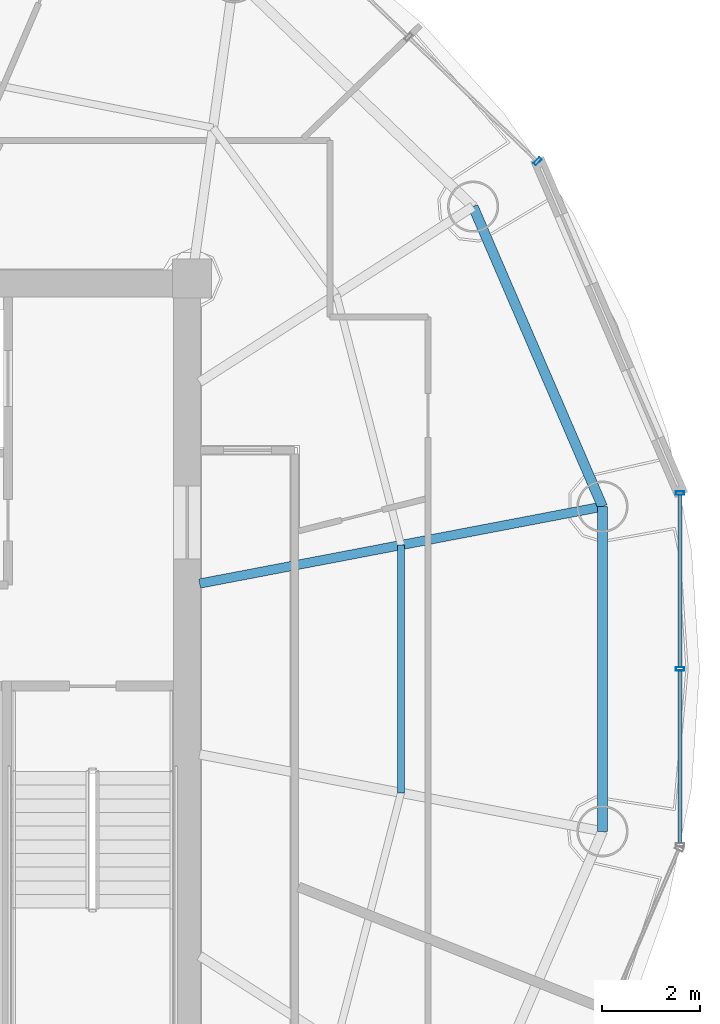
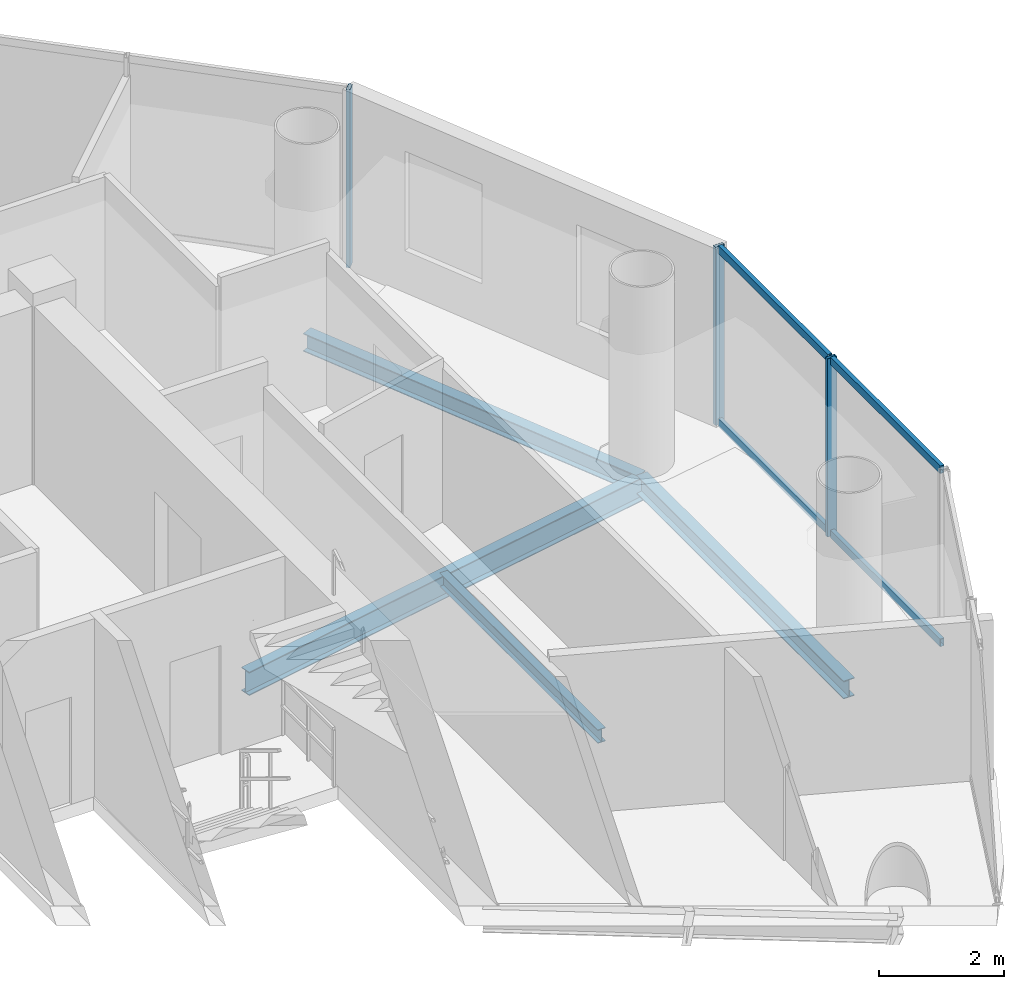
# One storey, part 11 of 23: 7 members, 4 beams, 2 elements without a shape of their own.
"""IFC4 building model written with IfcOpenShell, lengths in metres."""

from ifc_helpers import new_model, si_unit, direction, frame, origin, origin_2d, place, context, subcontext, project, spatial, hollow_rectangle, i_section, extrude, source, transform, mapped, material, material_profile, profile_set, type_object, element, aggregate, save


model = new_model("IFC4")

# Units and contexts
model_context = context("Model", 3, precision=1e-05, world=origin(), true_north=direction((-0.2419218956, 0.970295726276)))
body_context = subcontext(model_context, "Body", "Model", "MODEL_VIEW")
ifc_project = project(units=[si_unit("LENGTHUNIT", "METRE"), si_unit("AREAUNIT", "SQUARE_METRE"), si_unit("VOLUMEUNIT", "CUBIC_METRE"), si_unit("PLANEANGLEUNIT", "RADIAN"), si_unit("MASSUNIT", "GRAM", prefix="KILO")], contexts=[model_context])

# Site, building, storey
site_placement = place(None, origin())
site = spatial("IfcSite", under=ifc_project, at=site_placement, CompositionType="ELEMENT")
building_placement = place(site_placement, origin())
building = spatial("IfcBuilding", under=site, at=building_placement, Name="Cobrevalo Terracotta Tower", CompositionType="ELEMENT")
storey_placement = place(building_placement, frame((0.0, 0.0, 251.949951171875)))
storey = spatial("IfcBuildingStorey", under=building, at=storey_placement, Name="L66", CompositionType="ELEMENT", Elevation=251.949951171875)

# Beams
ifc_material_1 = material(Name="Steel S355", Category="steel")
ifc_material_profile_1 = material_profile(ifc_material_1, i_section(OverallWidth=0.19091796875, OverallDepth=0.4599609375, WebThickness=0.010009765625, FlangeThickness=0.01611328125, at=origin_2d()), Name="W 460x82")
ifc_profile_set_1 = profile_set([ifc_material_profile_1], Name="Steel S355")
beam_type_1 = type_object("IfcBeamType", Name="Structural Beam W 460x82 (Steel S355)", PredefinedType="BEAM", material=ifc_profile_set_1)
beam_1_placement = place(storey_placement, frame((55.408935546875, 30.126220703125, -0.489990234375), z_axis=(-0.982234917636, -0.187655446433, 0.0), x_axis=(0.187655446433, -0.982234917636, 0.0)))
element("IfcBeam", 1, at=beam_1_placement, inside=storey, type_object=beam_type_1, Name="L66 radial floor girder 01", PredefinedType="BEAM", context=body_context, shape_type="SweptSolid", body=[
    extrude(i_section(OverallWidth=0.19091796875, OverallDepth=0.4599609375, WebThickness=0.010009765625, FlangeThickness=0.01611328125, at=origin_2d()), origin(), (0.0, 0.0, 1.0), 8.403076171875),
])
ifc_material_profile_2 = material_profile(ifc_material_1, i_section(OverallWidth=0.14794921875, OverallDepth=0.26611328125, WebThickness=0.007568359375, FlangeThickness=0.012939453125, at=origin_2d()), Name="W 250x44.8")
ifc_profile_set_2 = profile_set([ifc_material_profile_2], Name="Steel S355")
beam_type_2 = type_object("IfcBeamType", Name="Structural Joist W 250x44.8 (Steel S355)", PredefinedType="JOIST", material=ifc_profile_set_2)
beam_2_placement = place(storey_placement, frame((51.281982421875, 24.26220703125, -0.39306640625), z_axis=(0.0, 1.0, 0.0), x_axis=(-1.0, 0.0, 0.0)))
element("IfcBeam", 2, at=beam_2_placement, inside=storey, type_object=beam_type_2, Name="L66 circumferential secondary floor joist 16", PredefinedType="JOIST", context=body_context, shape_type="SweptSolid", body=[
    extrude(i_section(OverallWidth=0.14794921875, OverallDepth=0.26611328125, WebThickness=0.007568359375, FlangeThickness=0.012939453125, at=origin_2d()), origin(), (0.0, 0.0, 1.0), 5.075439453125),
])
ifc_material_profile_3 = material_profile(ifc_material_1, i_section(OverallWidth=0.205078125, OverallDepth=0.35400390625, WebThickness=0.009521484375, FlangeThickness=0.016845703125, at=origin_2d()), Name="W 360x79")
ifc_profile_set_3 = profile_set([ifc_material_profile_3], Name="Steel S355")
beam_type_3 = type_object("IfcBeamType", Name="Structural Spandrel W 360x79 (Steel S355)", PredefinedType="SPANDREL", material=ifc_profile_set_3)
beam_3_placement = place(storey_placement, frame((55.408935546875, 30.126220703125, -0.43701171875), z_axis=(-0.395974127655, 0.918261667624, 0.0), x_axis=(-0.918261667624, -0.395974127655, 0.0)))
element("IfcBeam", 3, at=beam_3_placement, inside=storey, type_object=beam_type_3, Name="L66 perimeter ring spandrel 01", PredefinedType="SPANDREL", context=body_context, shape_type="SweptSolid", body=[
    extrude(i_section(OverallWidth=0.205078125, OverallDepth=0.35400390625, WebThickness=0.009521484375, FlangeThickness=0.016845703125, at=origin_2d()), origin(), (0.0, 0.0, 1.0), 6.693359375),
])
beam_4_placement = place(storey_placement, frame((55.408935546875, 23.4736328125, -0.43701171875), z_axis=(0.0, 1.0, 0.0), x_axis=(-1.0, 0.0, 0.0)))
element("IfcBeam", 4, at=beam_4_placement, inside=storey, type_object=beam_type_3, Name="L66 perimeter ring spandrel 16", PredefinedType="SPANDREL", context=body_context, shape_type="SweptSolid", body=[
    extrude(i_section(OverallWidth=0.205078125, OverallDepth=0.35400390625, WebThickness=0.009521484375, FlangeThickness=0.016845703125, at=origin_2d()), origin(), (0.0, 0.0, 1.0), 6.652587890625),
])

# Curtain wall, member
ifc_material_2 = material(Name="Anodized aluminium", Category="aluminium")
curtain_wall_type = type_object("IfcCurtainWallType", Name="Upper-tower triple-glazed penthouse curtain wall CW-U3", PredefinedType="NOTDEFINED", material=ifc_material_2)
curtain_wall_1_placement = place(storey_placement, origin())
curtain_wall_1 = element("IfcCurtainWall", 5, at=curtain_wall_1_placement, inside=storey, type_object=curtain_wall_type, Name="L66 curtain wall CW-L66-S02", PredefinedType="NOTDEFINED")
ifc_material_profile_4 = material_profile(ifc_material_2, hollow_rectangle(XDim=0.070068359375, YDim=0.169921875, WallThickness=0.00439453125, at=origin_2d()), Name="CWM 70x170")
ifc_profile_set_4 = profile_set([ifc_material_profile_4], Name="Anodized aluminium")
member_type_1 = type_object("IfcMemberType", Name="Upper tower unitised mullion 70x170", PredefinedType="MULLION", material=ifc_profile_set_4)
shared_shape_1 = source(origin(), body_context, "Body", "SweptSolid", [
    extrude(hollow_rectangle(XDim=0.070068359375, YDim=0.169921875, WallThickness=0.00439453125, at=origin_2d()), origin(), (0.0, 0.0, 1.0), 3.489990234375),
])
member_1_placement = place(storey_placement, frame((54.07666015625, 37.2001953125, 0.0), z_axis=(0.0, 0.0, 1.0), x_axis=(-0.71999418085, 0.69398010025, 0.0)))
member_1 = element("IfcMember", 6, at=member_1_placement, type_object=member_type_1, Name="CW-L66-S02 vertical mullion 01", PredefinedType="MULLION", context=body_context, shape_type="MappedRepresentation", body=[
    mapped(shared_shape_1, transform((0.0, 0.0, 0.0), scale=1.0)),
])
aggregate(curtain_wall_1, [member_1])

# Curtain wall, members
curtain_wall_2_placement = place(storey_placement, origin())
curtain_wall_2 = element("IfcCurtainWall", 7, at=curtain_wall_2_placement, inside=storey, type_object=curtain_wall_type, Name="L66 curtain wall CW-L66-S16", PredefinedType="NOTDEFINED")
member_2_placement = place(storey_placement, frame((56.997802734375, 26.800048828125, 0.0), z_axis=(0.0, 0.0, 1.0), x_axis=(0.0, 1.0, 0.0)))
member_2 = element("IfcMember", 8, at=member_2_placement, type_object=member_type_1, Name="CW-L66-S16 vertical mullion 02", PredefinedType="MULLION", context=body_context, shape_type="MappedRepresentation", body=[
    mapped(shared_shape_1, transform((0.0, 0.0, 0.0), scale=1.0)),
])
member_3_placement = place(storey_placement, frame((56.997802734375, 30.40234375, 0.0), z_axis=(0.0, 0.0, 1.0), x_axis=(0.0, 1.0, 0.0)))
member_3 = element("IfcMember", 9, at=member_3_placement, type_object=member_type_1, Name="CW-L66-S16 vertical mullion 03", PredefinedType="MULLION", context=body_context, shape_type="MappedRepresentation", body=[
    mapped(shared_shape_1, transform((0.0, 0.0, 0.0), scale=1.0)),
])
ifc_material_profile_5 = material_profile(ifc_material_2, hollow_rectangle(XDim=0.074951171875, YDim=0.14990234375, WallThickness=0.00439453125, at=origin_2d()), Name="CWT 75x150")
ifc_profile_set_5 = profile_set([ifc_material_profile_5], Name="Anodized aluminium")
member_type_2 = type_object("IfcMemberType", Name="Tower unitised aluminium transom 75x150", PredefinedType="USERDEFINED", material=ifc_profile_set_5)
shared_shape_2 = source(origin(), body_context, "Body", "SweptSolid", [
    extrude(hollow_rectangle(XDim=0.074951171875, YDim=0.14990234375, WallThickness=0.00439453125, at=origin_2d()), origin(), (0.0, 0.0, 1.0), 3.522216796875),
])
member_4_placement = place(storey_placement, frame((56.997802734375, 26.840087890625, 0.050048828125), z_axis=(0.0, 1.0, 0.0), x_axis=(-1.0, 0.0, 0.0)))
member_4 = element("IfcMember", 10, at=member_4_placement, type_object=member_type_2, Name="CW-L66-S16 transom B02-T1", ObjectType="TRANSOM", PredefinedType="USERDEFINED", context=body_context, shape_type="MappedRepresentation", body=[
    mapped(shared_shape_2, transform((0.0, 0.0, 0.0), scale=1.0)),
])
member_5_placement = place(storey_placement, frame((56.997802734375, 26.840087890625, 3.43994140625), z_axis=(0.0, 1.0, 0.0), x_axis=(-1.0, 0.0, 0.0)))
member_5 = element("IfcMember", 11, at=member_5_placement, type_object=member_type_2, Name="CW-L66-S16 transom B02-T2", ObjectType="TRANSOM", PredefinedType="USERDEFINED", context=body_context, shape_type="MappedRepresentation", body=[
    mapped(shared_shape_2, transform((0.0, 0.0, 0.0), scale=1.0)),
])
shared_shape_3 = source(origin(), body_context, "Body", "SweptSolid", [
    extrude(hollow_rectangle(XDim=0.074951171875, YDim=0.14990234375, WallThickness=0.00439453125, at=origin_2d()), origin(), (0.0, 0.0, 1.0), 3.5224609375),
])
member_6_placement = place(storey_placement, frame((56.997802734375, 23.237548828125, 0.050048828125), z_axis=(0.0, 1.0, 0.0), x_axis=(-1.0, 0.0, 0.0)))
member_6 = element("IfcMember", 12, at=member_6_placement, type_object=member_type_2, Name="CW-L66-S16 transom B01-T1", ObjectType="TRANSOM", PredefinedType="USERDEFINED", context=body_context, shape_type="MappedRepresentation", body=[
    mapped(shared_shape_3, transform((0.0, 0.0, 0.0), scale=1.0)),
])
member_7_placement = place(storey_placement, frame((56.997802734375, 23.237548828125, 3.43994140625), z_axis=(0.0, 1.0, 0.0), x_axis=(-1.0, 0.0, 0.0)))
member_7 = element("IfcMember", 13, at=member_7_placement, type_object=member_type_2, Name="CW-L66-S16 transom B01-T2", ObjectType="TRANSOM", PredefinedType="USERDEFINED", context=body_context, shape_type="MappedRepresentation", body=[
    mapped(shared_shape_3, transform((0.0, 0.0, 0.0), scale=1.0)),
])
aggregate(curtain_wall_2, [member_2, member_3, member_6, member_7, member_4, member_5])

save(model, "model.ifc")
